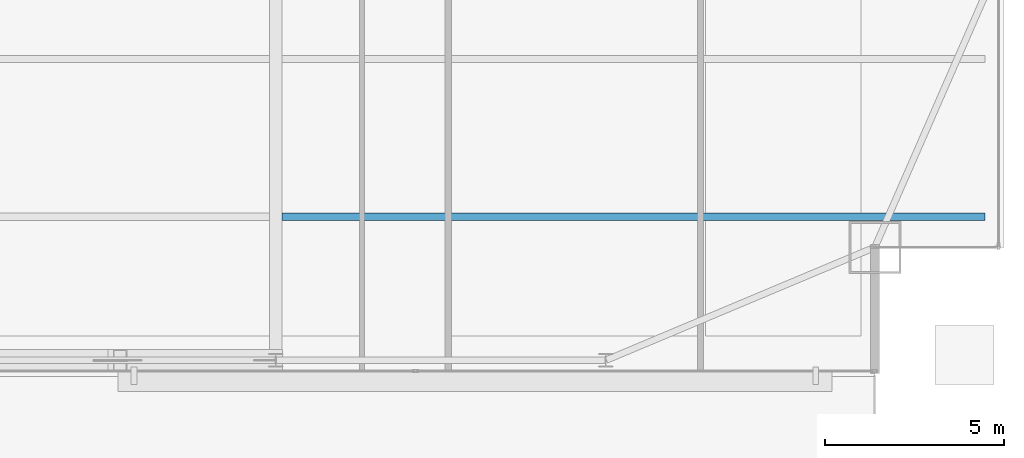
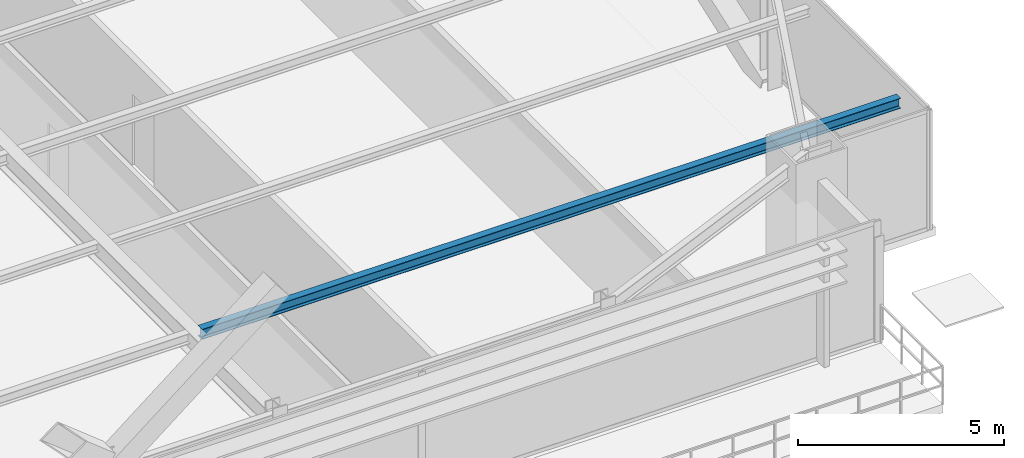
# One storey, part 15 of 35: 1 beam.
"""IFC4 building model written with IfcOpenShell, lengths in metres."""

from ifc_helpers import new_model, si_unit, direction, frame, origin, origin_2d, place, context, subcontext, project, spatial, i_section, extrude, source, transform, mapped, material, material_profile, profile_set, type_object, type_shapes, element, save


model = new_model("IFC4")

# Units and contexts
model_context = context("Model", 3, precision=1e-05, world=origin(), true_north=direction((0.0, 1.0)))
body_context = subcontext(model_context, "Body", "Model", "MODEL_VIEW")
ifc_project = project(units=[si_unit("LENGTHUNIT", "METRE"), si_unit("AREAUNIT", "SQUARE_METRE"), si_unit("VOLUMEUNIT", "CUBIC_METRE"), si_unit("PLANEANGLEUNIT", "RADIAN"), si_unit("MASSUNIT", "GRAM", prefix="KILO")], contexts=[model_context])

# Site, building, storey
site_placement = place(None, origin())
site = spatial("IfcSite", under=ifc_project, at=site_placement, CompositionType="ELEMENT")
building_placement = place(site_placement, origin())
building = spatial("IfcBuilding", under=site, at=building_placement, Name="Varnel Quay Broadcast Tower", CompositionType="ELEMENT")
storey_placement = place(building_placement, frame((0.0, 0.0, 87.0)))
storey = spatial("IfcBuildingStorey", under=building, at=storey_placement, Name="L20", CompositionType="ELEMENT", Elevation=87.0)

# Beam
ifc_material = material(Name="Structural Steel CSA G40.21 350W", Category="steel")
ifc_material_profile = material_profile(ifc_material, i_section(OverallWidth=0.202880859375, OverallDepth=0.302978515625, WebThickness=0.007568359375, FlangeThickness=0.01318359375, FilletRadius=0.011962890625, at=origin_2d()), Name="W310X60")
ifc_profile_set = profile_set([ifc_material_profile], Name="Structural Steel CSA G40.21 350W")
beam_type = type_object("IfcBeamType", Name="Beam_W310X60", PredefinedType="JOIST", material=ifc_profile_set)
shared_shape = source(origin(), body_context, "Body", "SweptSolid", [
    extrude(i_section(OverallWidth=0.202880859375, OverallDepth=0.302978515625, WebThickness=0.007568359375, FlangeThickness=0.01318359375, FilletRadius=0.011962890625, at=origin_2d()), origin(), (0.0, 0.0, 1.0), 19.592041015625),
])
type_shapes(beam_type, [shared_shape])
beam_placement = place(storey_placement, frame((43.37255859375, 8.64990234375, 3.3984375), z_axis=(1.0, 0.0, 0.0), x_axis=(0.0, 1.0, 0.0)))
element("IfcBeam", 1, at=beam_placement, inside=storey, type_object=beam_type, Name="L20 East Floor Joist 1", PredefinedType="JOIST", context=body_context, shape_type="MappedRepresentation", body=[
    mapped(shared_shape, transform((0.0, 0.0, 0.0), x_axis=(1.0, 0.0, 0.0), y_axis=(0.0, 1.0, 0.0), z_axis=(0.0, 0.0, 1.0), scale=1.0)),
])

save(model, "model.ifc")
